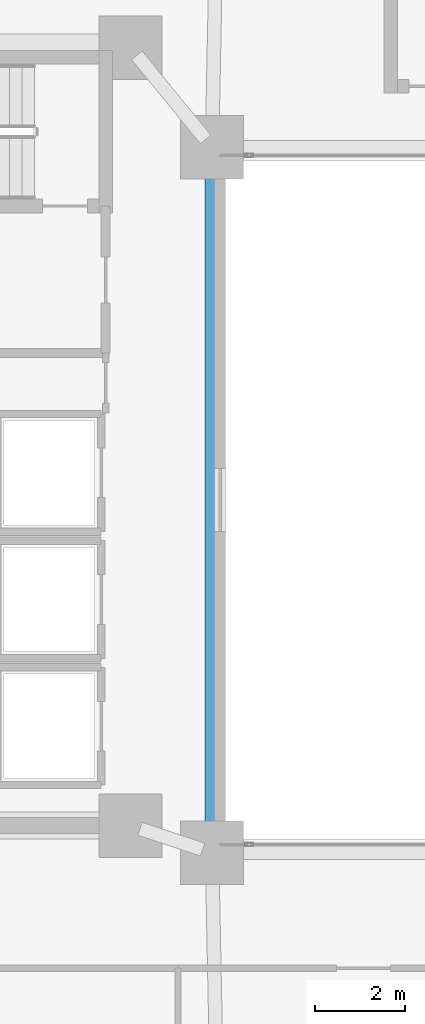
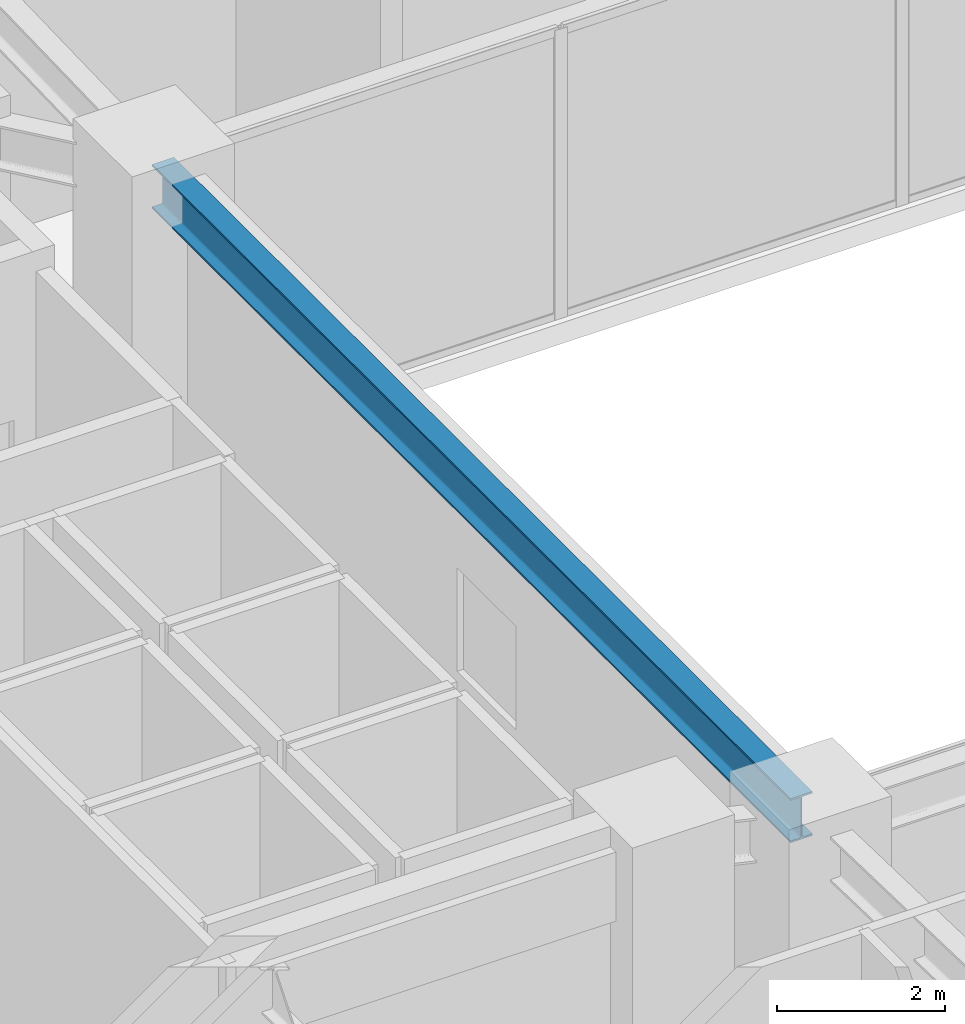
# One storey, part 10 of 40: 1 beam.
"""IFC4 building model written with IfcOpenShell, lengths in metres."""

from ifc_helpers import new_model, si_unit, direction, frame, origin, origin_2d, place, context, subcontext, project, spatial, i_section, extrude, material, material_profile, profile_set, type_object, element, save


model = new_model("IFC4")

# Units and contexts
model_context = context("Model", 3, precision=1e-05, world=origin(), true_north=direction((0.0, 1.0)))
body_context = subcontext(model_context, "Body", "Model", "MODEL_VIEW")
ifc_project = project(units=[si_unit("LENGTHUNIT", "METRE"), si_unit("AREAUNIT", "SQUARE_METRE"), si_unit("VOLUMEUNIT", "CUBIC_METRE"), si_unit("PLANEANGLEUNIT", "RADIAN"), si_unit("MASSUNIT", "GRAM", prefix="KILO")], contexts=[model_context])

# Site, building, storey
site_placement = place(None, origin())
site = spatial("IfcSite", under=ifc_project, at=site_placement, CompositionType="ELEMENT")
building_placement = place(site_placement, origin())
building = spatial("IfcBuilding", under=site, at=building_placement, Name="Tarnavaz Court Tower", CompositionType="ELEMENT")
storey_placement = place(building_placement, frame((0.0, 0.0, 64.199951171875)))
storey = spatial("IfcBuildingStorey", under=building, at=storey_placement, Name="L17", CompositionType="ELEMENT", Elevation=64.199951171875)

# Beam
ifc_material = material(Name="Steel S355", Category="steel")
ifc_material_profile = material_profile(ifc_material, i_section(OverallWidth=0.300048828125, OverallDepth=0.639892578125, WebThickness=0.013427734375, FlangeThickness=0.02587890625, FilletRadius=0.027099609375, at=origin_2d()), Name="HEA 650")
ifc_profile_set = profile_set([ifc_material_profile], Name="Steel S355")
beam_type = type_object("IfcBeamType", Name="BM-SP-HEA650", PredefinedType="SPANDREL", material=ifc_profile_set)
beam_placement = place(storey_placement, frame((-7.800048828125, -7.580078125, 3.880126953125), z_axis=(0.0, 1.0, 0.0), x_axis=(-1.0, 0.0, 0.0)))
element("IfcBeam", 1, at=beam_placement, inside=storey, type_object=beam_type, Name="L17 Beam IN-IW-SW-IW-NW", PredefinedType="SPANDREL", context=body_context, shape_type="SweptSolid", body=[
    extrude(i_section(OverallWidth=0.300048828125, OverallDepth=0.639892578125, WebThickness=0.013427734375, FlangeThickness=0.02587890625, FilletRadius=0.027099609375, at=origin_2d()), origin(), (0.0, 0.0, 1.0), 15.16015625),
])

save(model, "model.ifc")
